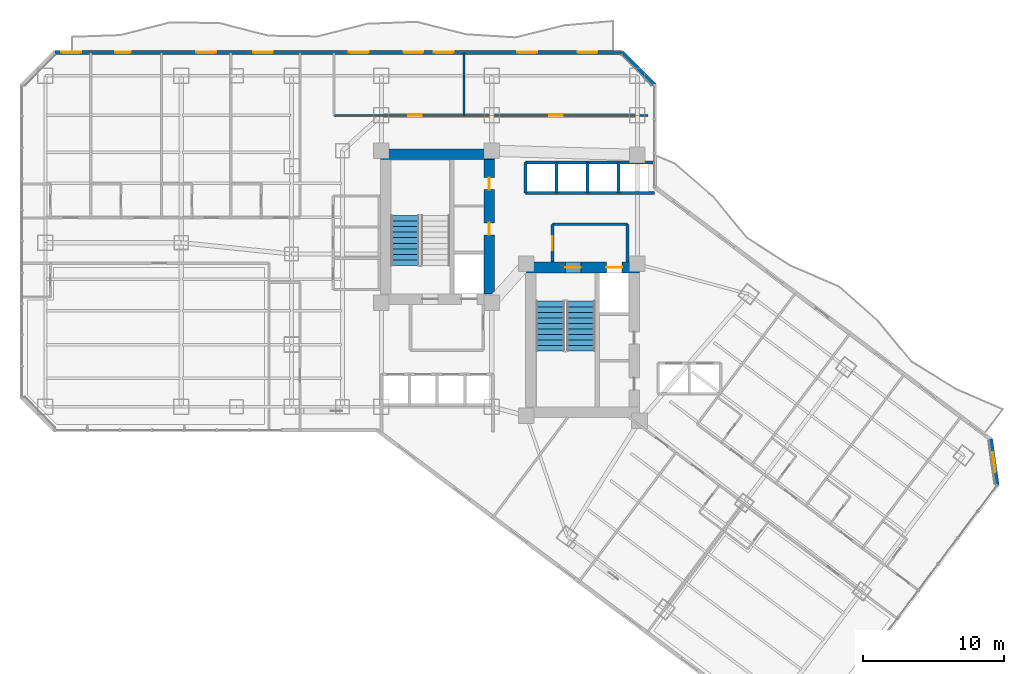
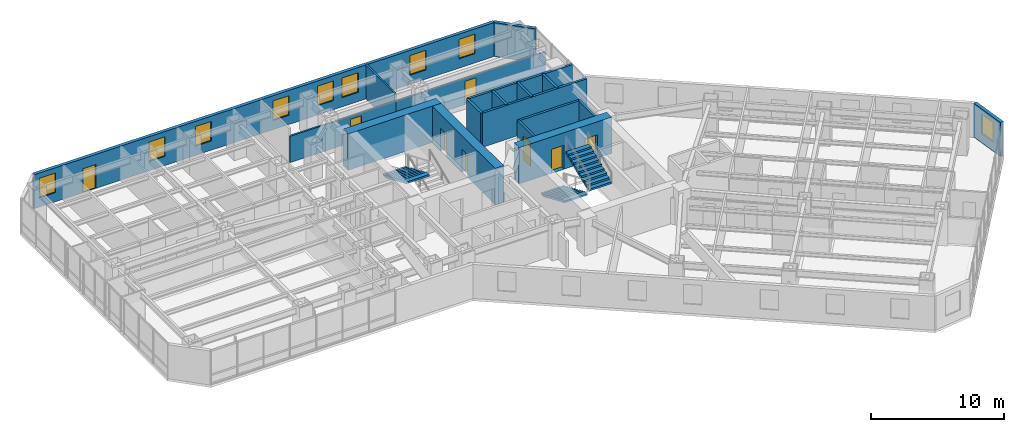
# One storey, part 26 of 33: 18 walls, 9 windows, 8 doors, 3 stair flights, 17 openings, 2 elements without a shape of their own.
"""IFC4 building model written with IfcOpenShell, lengths in metres."""

from ifc_helpers import new_model, si_unit, direction, frame, frame_2d, origin, place, context, subcontext, project, spatial, polyline, rectangle, outline, extrude, material, layer, layer_set, type_object, element, fill, aggregate, save


model = new_model("IFC4")

# Units and contexts
model_context = context("Model", 3, precision=1e-05, world=origin(), true_north=direction((0.0, 1.0)))
body_context = subcontext(model_context, "Body", "Model", "MODEL_VIEW")
ifc_project = project(units=[si_unit("LENGTHUNIT", "METRE"), si_unit("AREAUNIT", "SQUARE_METRE"), si_unit("VOLUMEUNIT", "CUBIC_METRE"), si_unit("PLANEANGLEUNIT", "RADIAN"), si_unit("MASSUNIT", "GRAM", prefix="KILO")], contexts=[model_context])

# Site, building, storey
site_placement = place(None, origin())
site = spatial("IfcSite", under=ifc_project, at=site_placement, CompositionType="ELEMENT")
building_placement = place(site_placement, origin())
building = spatial("IfcBuilding", under=site, at=building_placement, Name="Hatsunagi Terrace Concourse", CompositionType="ELEMENT")
storey_placement = place(building_placement, frame((0.0, 0.0, 56.699951171875)))
storey = spatial("IfcBuildingStorey", under=building, at=storey_placement, Name="L14", CompositionType="ELEMENT", Elevation=56.699951171875)

# Wall
ifc_material_1 = material(Name="Concrete Fc60", Category="concrete")
ifc_layer_1 = layer(ifc_material_1, 0.75)
ifc_layer_set_1 = layer_set([ifc_layer_1], Name="CoreShearWall_Fc60_750")
wall_type_1 = type_object("IfcWallType", Name="CoreShearWall_Fc60_750", PredefinedType="SHEAR", material=ifc_layer_set_1)
wall_1_placement = place(storey_placement, frame((25.469970703125, 43.044921875, 0.0), z_axis=(0.0, 0.0, 1.0), x_axis=(1.0, 0.0, 0.0)))
element("IfcWall", 1, at=wall_1_placement, inside=storey, type_object=wall_type_1, Name="Core A Shear Wall N L14", PredefinedType="SHEAR", context=body_context, shape_type="SweptSolid", body=[
    extrude(rectangle(XDim=8.080078125, YDim=0.75, at=frame_2d((4.0400390625, 0.0))), origin(), (0.0, 0.0, 1.0), 3.35009765625),
])

# Wall, openings, doors
wall_2_placement = place(storey_placement, frame((33.175048828125, 33.18994140625, 0.0), z_axis=(0.0, 0.0, 1.0), x_axis=(0.0, 1.0, 0.0)))
wall_2 = element("IfcWall", 2, at=wall_2_placement, inside=storey, type_object=wall_type_1, Name="Core A Shear Wall E L14", PredefinedType="SHEAR", context=body_context, shape_type="SweptSolid", body=[
    extrude(rectangle(XDim=9.47998046875, YDim=0.75, at=frame_2d((4.739990234375, 0.0))), origin(), (0.0, 0.0, 1.0), 3.35009765625),
])
opening_1_placement = place(wall_2_placement, frame((4.159912109375, 0.0, 0.0)))
opening_1 = element("IfcOpeningElement", 3, at=opening_1_placement, cuts=wall_2, Name="Opening DR-085", PredefinedType="OPENING", context=body_context, shape_type="SweptSolid", body=[
    extrude(rectangle(XDim=0.85009765625, YDim=2.080078125, at=frame_2d((0.425048828125, 1.0400390625))), frame((0.0, 0.385009765625, 0.0), z_axis=(0.0, -1.0, 0.0), x_axis=(1.0, 0.0, 0.0)), (0.0, 0.0, 1.0), 0.77001953125),
])
opening_2_placement = place(wall_2_placement, frame((7.360107421875, 0.0, 0.0)))
opening_2 = element("IfcOpeningElement", 4, at=opening_2_placement, cuts=wall_2, Name="Opening DR-085", PredefinedType="OPENING", context=body_context, shape_type="SweptSolid", body=[
    extrude(rectangle(XDim=0.85009765625, YDim=2.080078125, at=frame_2d((0.425048828125, 1.0400390625))), frame((0.0, 0.385009765625, 0.0), z_axis=(0.0, -1.0, 0.0), x_axis=(1.0, 0.0, 0.0)), (0.0, 0.0, 1.0), 0.77001953125),
])
ifc_material_2 = material(Name="Painted steel", Category="steel")
door_type_1 = type_object("IfcDoorType", Name="RiserAccessDoor_EI60_850", OperationType="NOTDEFINED", PredefinedType="DOOR", material=ifc_material_2)
door_1_placement = place(opening_1_placement, origin())
door_1 = element("IfcDoor", 5, at=door_1_placement, inside=storey, type_object=door_type_1, Name="Core A Riser Door L14-1", OperationType="SINGLE_SWING_LEFT", OverallHeight=2.080078125, OverallWidth=0.85009765625, PredefinedType="DOOR", context=body_context, shape_type="SweptSolid", body=[
    extrude(rectangle(XDim=0.85009765625, YDim=2.080078125, at=frame_2d((0.425048828125, 1.0400390625))), frame((0.0, 0.02490234375, 0.0), z_axis=(0.0, -1.0, 0.0), x_axis=(1.0, 0.0, 0.0)), (0.0, 0.0, 1.0), 0.050048828125),
])
fill(opening_1, door_1)
door_2_placement = place(opening_2_placement, origin())
door_2 = element("IfcDoor", 6, at=door_2_placement, inside=storey, type_object=door_type_1, Name="Core A Riser Door L14-2", OperationType="SINGLE_SWING_LEFT", OverallHeight=2.080078125, OverallWidth=0.85009765625, PredefinedType="DOOR", context=body_context, shape_type="SweptSolid", body=[
    extrude(rectangle(XDim=0.85009765625, YDim=2.080078125, at=frame_2d((0.425048828125, 1.0400390625))), frame((0.0, 0.02490234375, 0.0), z_axis=(0.0, -1.0, 0.0), x_axis=(1.0, 0.0, 0.0)), (0.0, 0.0, 1.0), 0.050048828125),
])
fill(opening_2, door_2)

wall_3_placement = place(storey_placement, frame((35.739990234375, 35.044921875, 0.0), z_axis=(0.0, 0.0, 1.0), x_axis=(1.0, 0.0, 0.0)))
wall_3 = element("IfcWall", 7, at=wall_3_placement, inside=storey, type_object=wall_type_1, Name="Core B Shear Wall N L14", PredefinedType="SHEAR", context=body_context, shape_type="SweptSolid", body=[
    extrude(rectangle(XDim=8.06005859375, YDim=0.75, at=frame_2d((4.030029296875, 0.0))), origin(), (0.0, 0.0, 1.0), 3.35009765625),
])
opening_3_placement = place(wall_3_placement, frame((2.81005859375, 0.0, 0.0)))
opening_3 = element("IfcOpeningElement", 8, at=opening_3_placement, cuts=wall_3, Name="Opening DR-110S", PredefinedType="OPENING", context=body_context, shape_type="SweptSolid", body=[
    extrude(rectangle(XDim=1.10009765625, YDim=2.199951171875, at=frame_2d((0.550048828125, 1.10009765625))), frame((0.0, 0.385009765625, 0.0), z_axis=(0.0, -1.0, 0.0), x_axis=(1.0, 0.0, 0.0)), (0.0, 0.0, 1.0), 0.77001953125),
])
opening_4_placement = place(wall_3_placement, frame((5.7099609375, 0.0, 0.0)))
opening_4 = element("IfcOpeningElement", 9, at=opening_4_placement, cuts=wall_3, Name="Opening LD-02", PredefinedType="OPENING", context=body_context, shape_type="SweptSolid", body=[
    extrude(rectangle(XDim=1.1201171875, YDim=2.14990234375, at=frame_2d((0.56005859375, 1.074951171875))), frame((0.0, 0.385009765625, 0.0), z_axis=(0.0, -1.0, 0.0), x_axis=(1.0, 0.0, 0.0)), (0.0, 0.0, 1.0), 0.77001953125),
])
ifc_material_3 = material(Name="Stainless steel", Category="steel")
door_type_2 = type_object("IfcDoorType", Name="LiftLandingDoor_LD02", OperationType="SLIDING_TO_RIGHT", PredefinedType="USERDEFINED", material=ifc_material_3)
door_3_placement = place(opening_4_placement, origin())
door_3 = element("IfcDoor", 10, at=door_3_placement, inside=storey, type_object=door_type_2, Name="Lift landing door FF-02 L14", ObjectType="SLIDING_LANDING_DOOR", OperationType="SLIDING_TO_RIGHT", OverallHeight=2.14990234375, OverallWidth=1.1201171875, PredefinedType="USERDEFINED", context=body_context, shape_type="SweptSolid", body=[
    extrude(rectangle(XDim=1.1201171875, YDim=2.14990234375, at=frame_2d((0.56005859375, 1.074951171875))), frame((0.0, 0.02490234375, 0.0), z_axis=(0.0, -1.0, 0.0), x_axis=(1.0, 0.0, 0.0)), (0.0, 0.0, 1.0), 0.050048828125),
])
fill(opening_4, door_3)
ifc_material_4 = material(Name="Painted steel", Category="steel")
door_type_3 = type_object("IfcDoorType", Name="StairFireDoor_EI60_1100", OperationType="NOTDEFINED", PredefinedType="DOOR", material=ifc_material_4)
door_4_placement = place(opening_3_placement, origin())
door_4 = element("IfcDoor", 11, at=door_4_placement, inside=storey, type_object=door_type_3, Name="Stair ST-B Exit Door L14", OperationType="SINGLE_SWING_RIGHT", OverallHeight=2.199951171875, OverallWidth=1.10009765625, PredefinedType="DOOR", context=body_context, shape_type="SweptSolid", body=[
    extrude(rectangle(XDim=1.10009765625, YDim=2.199951171875, at=frame_2d((0.550048828125, 1.10009765625))), frame((0.0, 0.02490234375, 0.0), z_axis=(0.0, -1.0, 0.0), x_axis=(1.0, 0.0, 0.0)), (0.0, 0.0, 1.0), 0.050048828125),
])
fill(opening_3, door_4)

# Wall, opening, door
ifc_material_5 = material(Name="Acoustic mineral board", Category="gypsum")
ifc_layer_2 = layer(ifc_material_5, 0.14990234375)
ifc_layer_set_2 = layer_set([ifc_layer_2], Name="PartitionWall_EI60_150")
wall_type_2 = type_object("IfcWallType", Name="PartitionWall_EI60_150", PredefinedType="PARTITIONING", material=ifc_layer_set_2)
wall_4_placement = place(storey_placement, frame((22.199951171875, 45.800048828125, 0.0), z_axis=(0.0, 0.0, 1.0), x_axis=(1.0, 0.0, 0.0)))
wall_4 = element("IfcWall", 12, at=wall_4_placement, inside=storey, type_object=wall_type_2, Name="Interior Partition IW-L14-037", PredefinedType="PARTITIONING", context=body_context, shape_type="SweptSolid", body=[
    extrude(rectangle(XDim=9.199951171875, YDim=0.14990234375, at=frame_2d((4.60009765625, 0.0))), origin(), (0.0, 0.0, 1.0), 2.425048828125),
])
opening_5_placement = place(wall_4_placement, frame((5.248046875, 0.0, 0.0)))
opening_5 = element("IfcOpeningElement", 13, at=opening_5_placement, cuts=wall_4, Name="Opening DR-095", PredefinedType="OPENING", context=body_context, shape_type="SweptSolid", body=[
    extrude(rectangle(XDim=0.949951171875, YDim=2.14990234375, at=frame_2d((0.47509765625, 1.074951171875))), frame((0.0, 0.0849609375, 0.0), z_axis=(0.0, -1.0, 0.0), x_axis=(1.0, 0.0, 0.0)), (0.0, 0.0, 1.0), 0.169921875),
])
ifc_material_6 = material(Name="Hardwood timber", Category="wood")
door_type_4 = type_object("IfcDoorType", Name="InteriorSuiteDoor_EI30_950", OperationType="NOTDEFINED", PredefinedType="DOOR", material=ifc_material_6)
door_5_placement = place(opening_5_placement, origin())
door_5 = element("IfcDoor", 14, at=door_5_placement, inside=storey, type_object=door_type_4, Name="Housekeeping Linen Room L14-HLIN Door", OperationType="SINGLE_SWING_LEFT", OverallHeight=2.14990234375, OverallWidth=0.949951171875, PredefinedType="DOOR", context=body_context, shape_type="SweptSolid", body=[
    extrude(rectangle(XDim=0.949951171875, YDim=2.14990234375, at=frame_2d((0.47509765625, 1.074951171875))), frame((0.0, 0.02490234375, 0.0), z_axis=(0.0, -1.0, 0.0), x_axis=(1.0, 0.0, 0.0)), (0.0, 0.0, 1.0), 0.050048828125),
])
fill(opening_5, door_5)

# Wall
wall_5_placement = place(storey_placement, frame((31.39990234375, 45.800048828125, 0.0), z_axis=(0.0, 0.0, 1.0), x_axis=(0.0, 1.0, 0.0)))
element("IfcWall", 15, at=wall_5_placement, inside=storey, type_object=wall_type_2, Name="Interior Partition IW-L14-039", PredefinedType="PARTITIONING", context=body_context, shape_type="SweptSolid", body=[
    extrude(rectangle(XDim=4.39990234375, YDim=0.14990234375, at=frame_2d((2.199951171875, 0.0))), origin(), (0.0, 0.0, 1.0), 3.130126953125),
])

# Wall, opening, door
wall_6_placement = place(storey_placement, frame((31.39990234375, 45.800048828125, 0.0), z_axis=(0.0, 0.0, 1.0), x_axis=(1.0, 0.0, 0.0)))
wall_6 = element("IfcWall", 16, at=wall_6_placement, inside=storey, type_object=wall_type_2, Name="Interior Partition IW-L14-040", PredefinedType="PARTITIONING", context=body_context, shape_type="SweptSolid", body=[
    extrude(rectangle(XDim=13.0, YDim=0.14990234375, at=frame_2d((6.5, 0.0))), origin(), (0.0, 0.0, 1.0), 2.425048828125),
])
opening_6_placement = place(wall_6_placement, frame((6.02490234375, 0.0, 0.0)))
opening_6 = element("IfcOpeningElement", 17, at=opening_6_placement, cuts=wall_6, Name="Opening DR-095", PredefinedType="OPENING", context=body_context, shape_type="SweptSolid", body=[
    extrude(rectangle(XDim=0.949951171875, YDim=2.14990234375, at=frame_2d((0.47509765625, 1.074951171875))), frame((0.0, 0.0849609375, 0.0), z_axis=(0.0, -1.0, 0.0), x_axis=(1.0, 0.0, 0.0)), (0.0, 0.0, 1.0), 0.169921875),
])
door_6_placement = place(opening_6_placement, origin())
door_6 = element("IfcDoor", 18, at=door_6_placement, inside=storey, type_object=door_type_4, Name="VIP Lounge L14-HLNG Door", OperationType="SINGLE_SWING_LEFT", OverallHeight=2.14990234375, OverallWidth=0.949951171875, PredefinedType="DOOR", context=body_context, shape_type="SweptSolid", body=[
    extrude(rectangle(XDim=0.949951171875, YDim=2.14990234375, at=frame_2d((0.47509765625, 1.074951171875))), frame((0.0, 0.02490234375, 0.0), z_axis=(0.0, -1.0, 0.0), x_axis=(1.0, 0.0, 0.0)), (0.0, 0.0, 1.0), 0.050048828125),
])
fill(opening_6, door_6)

# Walls
ifc_material_7 = material(Name="Acoustic mineral board", Category="gypsum")
ifc_layer_3 = layer(ifc_material_7, 0.199951171875)
ifc_layer_set_3 = layer_set([ifc_layer_3], Name="ShaftWall_EI120_200")
wall_type_3 = type_object("IfcWallType", Name="ShaftWall_EI120_200", PredefinedType="STANDARD", material=ifc_layer_set_3)
wall_7_placement = place(storey_placement, frame((37.64990234375, 38.10009765625, 0.0), z_axis=(0.0, 0.0, 1.0), x_axis=(1.0, 0.0, 0.0)))
element("IfcWall", 19, at=wall_7_placement, inside=storey, type_object=wall_type_3, Name="Interior Partition IW-L14-008", PredefinedType="STANDARD", context=body_context, shape_type="SweptSolid", body=[
    extrude(rectangle(XDim=5.300048828125, YDim=0.199951171875, at=frame_2d((2.64990234375, 0.0))), origin(), (0.0, 0.0, 1.0), 3.130126953125),
])
wall_8_placement = place(storey_placement, frame((42.949951171875, 35.419921875, 0.0), z_axis=(0.0, 0.0, 1.0), x_axis=(0.0, 1.0, 0.0)))
element("IfcWall", 20, at=wall_8_placement, inside=storey, type_object=wall_type_3, Name="Interior Partition IW-L14-009", PredefinedType="STANDARD", context=body_context, shape_type="SweptSolid", body=[
    extrude(rectangle(XDim=2.68017578125, YDim=0.199951171875, at=frame_2d((1.340087890625, 0.0))), origin(), (0.0, 0.0, 1.0), 3.130126953125),
])

# Wall, opening, door
wall_9_placement = place(storey_placement, frame((37.64990234375, 35.419921875, 0.0), z_axis=(0.0, 0.0, 1.0), x_axis=(0.0, 1.0, 0.0)))
wall_9 = element("IfcWall", 21, at=wall_9_placement, inside=storey, type_object=wall_type_3, Name="Interior Partition IW-L14-010", PredefinedType="STANDARD", context=body_context, shape_type="SweptSolid", body=[
    extrude(rectangle(XDim=2.68017578125, YDim=0.199951171875, at=frame_2d((1.340087890625, 0.0))), origin(), (0.0, 0.0, 1.0), 3.130126953125),
])
opening_7_placement = place(wall_9_placement, frame((0.840087890625, 0.0, 0.0)))
opening_7 = element("IfcOpeningElement", 22, at=opening_7_placement, cuts=wall_9, Name="Opening DR-100F", PredefinedType="OPENING", context=body_context, shape_type="SweptSolid", body=[
    extrude(rectangle(XDim=1.0, YDim=2.199951171875, at=frame_2d((0.5, 1.10009765625))), frame((0.0, 0.10986328125, 0.0), z_axis=(0.0, -1.0, 0.0), x_axis=(1.0, 0.0, 0.0)), (0.0, 0.0, 1.0), 0.219970703125),
])
ifc_material_8 = material(Name="Painted steel", Category="steel")
door_type_5 = type_object("IfcDoorType", Name="FireDoor_EI60_1000", OperationType="NOTDEFINED", PredefinedType="DOOR", material=ifc_material_8)
door_7_placement = place(opening_7_placement, origin())
door_7 = element("IfcDoor", 23, at=door_7_placement, inside=storey, type_object=door_type_5, Name="Firefighting Lobby B Door L14", OperationType="SINGLE_SWING_RIGHT", OverallHeight=2.199951171875, OverallWidth=1.0, PredefinedType="DOOR", context=body_context, shape_type="SweptSolid", body=[
    extrude(rectangle(XDim=1.0, YDim=2.199951171875, at=frame_2d((0.5, 1.10009765625))), frame((0.0, 0.02490234375, 0.0), z_axis=(0.0, -1.0, 0.0), x_axis=(1.0, 0.0, 0.0)), (0.0, 0.0, 1.0), 0.050048828125),
])
fill(opening_7, door_7)

# Walls
wall_10_placement = place(storey_placement, frame((35.75, 42.47998046875, 0.0), z_axis=(0.0, 0.0, 1.0), x_axis=(1.0, 0.0, 0.0)))
element("IfcWall", 24, at=wall_10_placement, inside=storey, type_object=wall_type_3, Name="Interior Partition IW-L14-018", PredefinedType="STANDARD", context=body_context, shape_type="SweptSolid", body=[
    extrude(rectangle(XDim=9.110107421875, YDim=0.199951171875, at=frame_2d((4.55517578125, 0.0))), origin(), (0.0, 0.0, 1.0), 3.130126953125),
])
for number, where, z_axis, x_axis, name in (
    (25, (35.75, 40.320068359375, 0.0), (0.0, 0.0, 1.0), (0.0, 1.0, 0.0), "Interior Partition IW-L14-019"),
    (26, (37.919921875, 40.320068359375, 0.0), (0.0, 0.0, 1.0), (0.0, 1.0, 0.0), "Interior Partition IW-L14-020"),
    (27, (40.1201171875, 40.320068359375, 0.0), (0.0, 0.0, 1.0), (0.0, 1.0, 0.0), "Interior Partition IW-L14-021"),
    (28, (42.320068359375, 40.320068359375, 0.0), (0.0, 0.0, 1.0), (0.0, 1.0, 0.0), "Interior Partition IW-L14-022"),
):
    element("IfcWall", number, at=place(storey_placement, frame(where, z_axis=z_axis, x_axis=x_axis)), inside=storey, type_object=wall_type_3, Name=name, PredefinedType="STANDARD", context=body_context, shape_type="SweptSolid", body=[
        extrude(rectangle(XDim=2.159912109375, YDim=0.199951171875, at=frame_2d((1.080078125, 0.0))), origin(), (0.0, 0.0, 1.0), 3.130126953125),
    ])
wall_11_placement = place(storey_placement, frame((35.75, 40.320068359375, 0.0), z_axis=(0.0, 0.0, 1.0), x_axis=(1.0, 0.0, 0.0)))
element("IfcWall", 29, at=wall_11_placement, inside=storey, type_object=wall_type_3, Name="Interior Partition IW-L14-023", PredefinedType="STANDARD", context=body_context, shape_type="SweptSolid", body=[
    extrude(rectangle(XDim=9.110107421875, YDim=0.199951171875, at=frame_2d((4.55517578125, 0.0))), origin(), (0.0, 0.0, 1.0), 3.130126953125),
])

# Wall, opening, window
ifc_material_9 = material(Name="Autoclaved Lightweight Concrete and Terracotta Cladding", Category="masonry")
ifc_layer_4 = layer(ifc_material_9, 0.280029296875)
ifc_layer_set_4 = layer_set([ifc_layer_4], Name="TerracottaSpandrelWall_280")
wall_type_4 = type_object("IfcWallType", Name="TerracottaSpandrelWall_280", PredefinedType="STANDARD", material=ifc_layer_set_4)
wall_12_placement = place(storey_placement, frame((68.6298828125, 22.903076171875, 0.0), z_axis=(0.0, 0.0, 1.0), x_axis=(0.141285803956, -0.989968848803, 0.0)))
wall_12 = element("IfcWall", 30, at=wall_12_placement, inside=storey, type_object=wall_type_4, Name="Exterior Spandrel Wall EW-L14-02", PredefinedType="STANDARD", context=body_context, shape_type="SweptSolid", body=[
    extrude(rectangle(XDim=3.278076171875, YDim=0.280029296875, at=frame_2d((1.63916015625, 0.0))), origin(), (0.0, 0.0, 1.0), 3.130126953125),
])
opening_8_placement = place(wall_12_placement, frame((0.93896484375, 0.0, 0.85009765625)))
opening_8 = element("IfcOpeningElement", 31, at=opening_8_placement, cuts=wall_12, Name="Opening WIN-02", PredefinedType="OPENING", context=body_context, shape_type="SweptSolid", body=[
    extrude(rectangle(XDim=1.39990234375, YDim=1.800048828125, at=frame_2d((0.699951171875, 0.89990234375))), frame((0.0, 0.14990234375, 0.0), z_axis=(0.0, -1.0, 0.0), x_axis=(1.0, 0.0, 0.0)), (0.0, 0.0, 1.0), 0.300048828125),
])
ifc_material_10 = material(Name="Thermally Broken Aluminium and Low-E Triple Glazing", Category="aluminium")
window_type = type_object("IfcWindowType", Name="HotelOperableVentWindow_1400x1800", PartitioningType="DOUBLE_PANEL_VERTICAL", PredefinedType="WINDOW", material=ifc_material_10)
window_1_placement = place(opening_8_placement, origin())
window_1 = element("IfcWindow", 32, at=window_1_placement, inside=storey, type_object=window_type, Name="Hotel Guestroom Window L14-02-1", OverallHeight=1.800048828125, OverallWidth=1.39990234375, PartitioningType="SINGLE_PANEL", PredefinedType="WINDOW", context=body_context, shape_type="SweptSolid", body=[
    extrude(rectangle(XDim=1.39990234375, YDim=1.800048828125, at=frame_2d((0.699951171875, 0.89990234375))), frame((0.0, 0.030029296875, 0.0), z_axis=(0.0, -1.0, 0.0), x_axis=(1.0, 0.0, 0.0)), (0.0, 0.0, 1.0), 0.06005859375),
])
fill(opening_8, window_1)

# Wall, openings, door, windows
wall_13_placement = place(storey_placement, frame((2.4580078125, 50.260009765625, 0.0), z_axis=(0.0, 0.0, 1.0), x_axis=(1.0, 0.0, 0.0)))
wall_13 = element("IfcWall", 33, at=wall_13_placement, inside=storey, type_object=wall_type_4, Name="Exterior Spandrel Wall EW-L14-11", PredefinedType="STANDARD", context=body_context, shape_type="SweptSolid", body=[
    extrude(rectangle(XDim=40.083984375, YDim=0.280029296875, at=frame_2d((20.0419921875, 0.0))), origin(), (0.0, 0.0, 1.0), 3.130126953125),
])
opening_9_placement = place(wall_13_placement, frame((4.260009765625, 0.0, 0.0)))
opening_9 = element("IfcOpeningElement", 34, at=opening_9_placement, cuts=wall_13, Name="Opening BD-01", PredefinedType="OPENING", context=body_context, shape_type="SweptSolid", body=[
    extrude(rectangle(XDim=1.10009765625, YDim=2.199951171875, at=frame_2d((0.550048828125, 1.10009765625))), frame((0.0, 0.14990234375, 0.0), z_axis=(0.0, -1.0, 0.0), x_axis=(1.0, 0.0, 0.0)), (0.0, 0.0, 1.0), 0.300048828125),
])
opening_10_placement = place(wall_13_placement, frame((0.4599609375, 0.0, 0.85009765625)))
opening_10 = element("IfcOpeningElement", 35, at=opening_10_placement, cuts=wall_13, Name="Opening WIN-02", PredefinedType="OPENING", context=body_context, shape_type="SweptSolid", body=[
    extrude(rectangle(XDim=1.39990234375, YDim=1.800048828125, at=frame_2d((0.699951171875, 0.89990234375))), frame((0.0, 0.14990234375, 0.0), z_axis=(0.0, -1.0, 0.0), x_axis=(1.0, 0.0, 0.0)), (0.0, 0.0, 1.0), 0.300048828125),
])
opening_11_placement = place(wall_13_placement, frame((10.0, 0.0, 0.85009765625)))
opening_11 = element("IfcOpeningElement", 36, at=opening_11_placement, cuts=wall_13, Name="Opening WIN-02", PredefinedType="OPENING", context=body_context, shape_type="SweptSolid", body=[
    extrude(rectangle(XDim=1.39990234375, YDim=1.800048828125, at=frame_2d((0.699951171875, 0.89990234375))), frame((0.0, 0.14990234375, 0.0), z_axis=(0.0, -1.0, 0.0), x_axis=(1.0, 0.0, 0.0)), (0.0, 0.0, 1.0), 0.300048828125),
])
opening_12_placement = place(wall_13_placement, frame((14.02001953125, 0.0, 0.85009765625)))
opening_12 = element("IfcOpeningElement", 37, at=opening_12_placement, cuts=wall_13, Name="Opening WIN-02", PredefinedType="OPENING", context=body_context, shape_type="SweptSolid", body=[
    extrude(rectangle(XDim=1.39990234375, YDim=1.800048828125, at=frame_2d((0.699951171875, 0.89990234375))), frame((0.0, 0.14990234375, 0.0), z_axis=(0.0, -1.0, 0.0), x_axis=(1.0, 0.0, 0.0)), (0.0, 0.0, 1.0), 0.300048828125),
])
opening_13_placement = place(wall_13_placement, frame((20.7890625, 0.0, 0.85009765625)))
opening_13 = element("IfcOpeningElement", 38, at=opening_13_placement, cuts=wall_13, Name="Opening WIN-02", PredefinedType="OPENING", context=body_context, shape_type="SweptSolid", body=[
    extrude(rectangle(XDim=1.39990234375, YDim=1.800048828125, at=frame_2d((0.699951171875, 0.89990234375))), frame((0.0, 0.14990234375, 0.0), z_axis=(0.0, -1.0, 0.0), x_axis=(1.0, 0.0, 0.0)), (0.0, 0.0, 1.0), 0.300048828125),
])
opening_14_placement = place(wall_13_placement, frame((24.6640625, 0.0, 0.85009765625)))
opening_14 = element("IfcOpeningElement", 39, at=opening_14_placement, cuts=wall_13, Name="Opening WIN-02", PredefinedType="OPENING", context=body_context, shape_type="SweptSolid", body=[
    extrude(rectangle(XDim=1.39990234375, YDim=1.800048828125, at=frame_2d((0.699951171875, 0.89990234375))), frame((0.0, 0.14990234375, 0.0), z_axis=(0.0, -1.0, 0.0), x_axis=(1.0, 0.0, 0.0)), (0.0, 0.0, 1.0), 0.300048828125),
])
opening_15_placement = place(wall_13_placement, frame((26.802978515625, 0.0, 0.85009765625)))
opening_15 = element("IfcOpeningElement", 40, at=opening_15_placement, cuts=wall_13, Name="Opening WIN-02", PredefinedType="OPENING", context=body_context, shape_type="SweptSolid", body=[
    extrude(rectangle(XDim=1.39990234375, YDim=1.800048828125, at=frame_2d((0.699951171875, 0.89990234375))), frame((0.0, 0.14990234375, 0.0), z_axis=(0.0, -1.0, 0.0), x_axis=(1.0, 0.0, 0.0)), (0.0, 0.0, 1.0), 0.300048828125),
])
opening_16_placement = place(wall_13_placement, frame((32.702880859375, 0.0, 0.85009765625)))
opening_16 = element("IfcOpeningElement", 41, at=opening_16_placement, cuts=wall_13, Name="Opening WIN-02", PredefinedType="OPENING", context=body_context, shape_type="SweptSolid", body=[
    extrude(rectangle(XDim=1.39990234375, YDim=1.800048828125, at=frame_2d((0.699951171875, 0.89990234375))), frame((0.0, 0.14990234375, 0.0), z_axis=(0.0, -1.0, 0.0), x_axis=(1.0, 0.0, 0.0)), (0.0, 0.0, 1.0), 0.300048828125),
])
opening_17_placement = place(wall_13_placement, frame((36.967041015625, 0.0, 0.85009765625)))
opening_17 = element("IfcOpeningElement", 42, at=opening_17_placement, cuts=wall_13, Name="Opening WIN-02", PredefinedType="OPENING", context=body_context, shape_type="SweptSolid", body=[
    extrude(rectangle(XDim=1.39990234375, YDim=1.800048828125, at=frame_2d((0.699951171875, 0.89990234375))), frame((0.0, 0.14990234375, 0.0), z_axis=(0.0, -1.0, 0.0), x_axis=(1.0, 0.0, 0.0)), (0.0, 0.0, 1.0), 0.300048828125),
])
ifc_material_11 = material(Name="Galvanised Steel and Laminated Safety Glass", Category="steel")
door_type_6 = type_object("IfcDoorType", Name="BalconyTerraceAccessDoor_1100x2200", OperationType="SINGLE_SWING_LEFT", PredefinedType="DOOR", material=ifc_material_11)
door_8_placement = place(opening_9_placement, origin())
door_8 = element("IfcDoor", 43, at=door_8_placement, inside=storey, type_object=door_type_6, Name="Engawa Balcony Door L14-BN", OperationType="SINGLE_SWING_RIGHT", OverallHeight=2.199951171875, OverallWidth=1.10009765625, PredefinedType="DOOR", context=body_context, shape_type="SweptSolid", body=[
    extrude(rectangle(XDim=1.10009765625, YDim=2.199951171875, at=frame_2d((0.550048828125, 1.10009765625))), frame((0.0, 0.02490234375, 0.0), z_axis=(0.0, -1.0, 0.0), x_axis=(1.0, 0.0, 0.0)), (0.0, 0.0, 1.0), 0.050048828125),
])
fill(opening_9, door_8)
window_2_placement = place(opening_10_placement, origin())
window_2 = element("IfcWindow", 44, at=window_2_placement, inside=storey, type_object=window_type, Name="Balcony Daylighting Window L14-11-1", OverallHeight=1.800048828125, OverallWidth=1.39990234375, PartitioningType="SINGLE_PANEL", PredefinedType="WINDOW", context=body_context, shape_type="SweptSolid", body=[
    extrude(rectangle(XDim=1.39990234375, YDim=1.800048828125, at=frame_2d((0.699951171875, 0.89990234375))), frame((0.0, 0.030029296875, 0.0), z_axis=(0.0, -1.0, 0.0), x_axis=(1.0, 0.0, 0.0)), (0.0, 0.0, 1.0), 0.06005859375),
])
fill(opening_10, window_2)
window_3_placement = place(opening_11_placement, origin())
window_3 = element("IfcWindow", 45, at=window_3_placement, inside=storey, type_object=window_type, Name="Balcony Daylighting Window L14-11-3", OverallHeight=1.800048828125, OverallWidth=1.39990234375, PartitioningType="SINGLE_PANEL", PredefinedType="WINDOW", context=body_context, shape_type="SweptSolid", body=[
    extrude(rectangle(XDim=1.39990234375, YDim=1.800048828125, at=frame_2d((0.699951171875, 0.89990234375))), frame((0.0, 0.030029296875, 0.0), z_axis=(0.0, -1.0, 0.0), x_axis=(1.0, 0.0, 0.0)), (0.0, 0.0, 1.0), 0.06005859375),
])
fill(opening_11, window_3)
window_4_placement = place(opening_12_placement, origin())
window_4 = element("IfcWindow", 46, at=window_4_placement, inside=storey, type_object=window_type, Name="Balcony Daylighting Window L14-11-4", OverallHeight=1.800048828125, OverallWidth=1.39990234375, PartitioningType="SINGLE_PANEL", PredefinedType="WINDOW", context=body_context, shape_type="SweptSolid", body=[
    extrude(rectangle(XDim=1.39990234375, YDim=1.800048828125, at=frame_2d((0.699951171875, 0.89990234375))), frame((0.0, 0.030029296875, 0.0), z_axis=(0.0, -1.0, 0.0), x_axis=(1.0, 0.0, 0.0)), (0.0, 0.0, 1.0), 0.06005859375),
])
fill(opening_12, window_4)
window_5_placement = place(opening_13_placement, origin())
window_5 = element("IfcWindow", 47, at=window_5_placement, inside=storey, type_object=window_type, Name="Balcony Daylighting Window L14-11-5", OverallHeight=1.800048828125, OverallWidth=1.39990234375, PartitioningType="SINGLE_PANEL", PredefinedType="WINDOW", context=body_context, shape_type="SweptSolid", body=[
    extrude(rectangle(XDim=1.39990234375, YDim=1.800048828125, at=frame_2d((0.699951171875, 0.89990234375))), frame((0.0, 0.030029296875, 0.0), z_axis=(0.0, -1.0, 0.0), x_axis=(1.0, 0.0, 0.0)), (0.0, 0.0, 1.0), 0.06005859375),
])
fill(opening_13, window_5)
window_6_placement = place(opening_14_placement, origin())
window_6 = element("IfcWindow", 48, at=window_6_placement, inside=storey, type_object=window_type, Name="Balcony Daylighting Window L14-11-6", OverallHeight=1.800048828125, OverallWidth=1.39990234375, PartitioningType="SINGLE_PANEL", PredefinedType="WINDOW", context=body_context, shape_type="SweptSolid", body=[
    extrude(rectangle(XDim=1.39990234375, YDim=1.800048828125, at=frame_2d((0.699951171875, 0.89990234375))), frame((0.0, 0.030029296875, 0.0), z_axis=(0.0, -1.0, 0.0), x_axis=(1.0, 0.0, 0.0)), (0.0, 0.0, 1.0), 0.06005859375),
])
fill(opening_14, window_6)
window_7_placement = place(opening_15_placement, origin())
window_7 = element("IfcWindow", 49, at=window_7_placement, inside=storey, type_object=window_type, Name="Balcony Daylighting Window L14-11-7", OverallHeight=1.800048828125, OverallWidth=1.39990234375, PartitioningType="SINGLE_PANEL", PredefinedType="WINDOW", context=body_context, shape_type="SweptSolid", body=[
    extrude(rectangle(XDim=1.39990234375, YDim=1.800048828125, at=frame_2d((0.699951171875, 0.89990234375))), frame((0.0, 0.030029296875, 0.0), z_axis=(0.0, -1.0, 0.0), x_axis=(1.0, 0.0, 0.0)), (0.0, 0.0, 1.0), 0.06005859375),
])
fill(opening_15, window_7)
window_8_placement = place(opening_16_placement, origin())
window_8 = element("IfcWindow", 50, at=window_8_placement, inside=storey, type_object=window_type, Name="Balcony Daylighting Window L14-11-8", OverallHeight=1.800048828125, OverallWidth=1.39990234375, PartitioningType="SINGLE_PANEL", PredefinedType="WINDOW", context=body_context, shape_type="SweptSolid", body=[
    extrude(rectangle(XDim=1.39990234375, YDim=1.800048828125, at=frame_2d((0.699951171875, 0.89990234375))), frame((0.0, 0.030029296875, 0.0), z_axis=(0.0, -1.0, 0.0), x_axis=(1.0, 0.0, 0.0)), (0.0, 0.0, 1.0), 0.06005859375),
])
fill(opening_16, window_8)
window_9_placement = place(opening_17_placement, origin())
window_9 = element("IfcWindow", 51, at=window_9_placement, inside=storey, type_object=window_type, Name="Balcony Daylighting Window L14-11-9", OverallHeight=1.800048828125, OverallWidth=1.39990234375, PartitioningType="SINGLE_PANEL", PredefinedType="WINDOW", context=body_context, shape_type="SweptSolid", body=[
    extrude(rectangle(XDim=1.39990234375, YDim=1.800048828125, at=frame_2d((0.699951171875, 0.89990234375))), frame((0.0, 0.030029296875, 0.0), z_axis=(0.0, -1.0, 0.0), x_axis=(1.0, 0.0, 0.0)), (0.0, 0.0, 1.0), 0.06005859375),
])
fill(opening_17, window_9)

# Wall
wall_14_placement = place(storey_placement, frame((42.5419921875, 50.260009765625, 0.0), z_axis=(0.0, 0.0, 1.0), x_axis=(0.707106781187, -0.707106781187, 0.0)))
element("IfcWall", 52, at=wall_14_placement, inside=storey, type_object=wall_type_4, Name="Exterior Spandrel Wall EW-L14-12", PredefinedType="STANDARD", context=body_context, shape_type="SweptSolid", body=[
    extrude(rectangle(XDim=3.2783203125, YDim=0.280029296875, at=frame_2d((1.63916015625, 0.0))), origin(), (0.0, 0.0, 1.0), 3.130126953125),
])

# Stair, stair flight
ifc_material_12 = material(Name="Concrete Fc42", Category="concrete")
stair_type = type_object("IfcStairType", Name="DoglegExitStair_Tower2000_20R_167", PredefinedType="HALF_TURN_STAIR", material=ifc_material_12)
stair_1_placement = place(storey_placement, origin())
stair_1 = element("IfcStair", 53, at=stair_1_placement, inside=storey, type_object=stair_type, Name="L14 Core A Protected Exit Stair ST-A", PredefinedType="HALF_TURN_STAIR")
ifc_material_13 = material(Name="Concrete Fc42", Category="concrete")
stair_flight_type = type_object("IfcStairFlightType", Name="DoglegStairFlight_Tower2000_20R_167", PredefinedType="STRAIGHT", material=ifc_material_13)
stair_flight_1_placement = place(storey_placement, frame((27.22998046875, 38.7099609375, 1.675048828125), z_axis=(0.0, 0.0, 1.0), x_axis=(0.0, -1.0, 0.0)))
stair_flight_1 = element("IfcStairFlight", 54, at=stair_flight_1_placement, type_object=stair_flight_type, Name="ST-A flight 2", NumberOfRisers=10, NumberOfTreads=9, PredefinedType="STRAIGHT", RiserHeight=0.1675, TreadLength=0.39, context=body_context, shape_type="SweptSolid", body=[
    extrude(outline(polyline([(0.0, 0.0), (0.0, 0.16748046875), (0.389892578125, 0.16748046875), (0.389892578125, 0.3349609375), (0.780029296875, 0.3349609375), (0.780029296875, 0.50244140625), (1.169921875, 0.50244140625), (1.169921875, 0.669921875), (1.56005859375, 0.669921875), (1.56005859375, 0.83740234375), (1.949951171875, 0.83740234375), (1.949951171875, 1.0048828125), (2.340087890625, 1.0048828125), (2.340087890625, 1.172607421875), (2.72998046875, 1.172607421875), (2.72998046875, 1.340087890625), (3.1201171875, 1.340087890625), (3.1201171875, 1.507568359375), (3.510009765625, 1.507568359375), (3.510009765625, 1.675048828125), (3.510009765625, 1.34423828125), (0.3798828125, 0.0), (0.0, 0.0)])), frame((0.0, 1.0, 0.0), z_axis=(0.0, -1.0, 0.0), x_axis=(1.0, 0.0, 0.0)), (0.0, 0.0, 1.0), 2.0),
])
aggregate(stair_1, [stair_flight_1])

# Stair, stair flights
stair_2_placement = place(storey_placement, origin())
stair_2 = element("IfcStair", 55, at=stair_2_placement, inside=storey, type_object=stair_type, Name="L14 Core B Protected Exit Stair ST-B", PredefinedType="HALF_TURN_STAIR")
stair_flight_2_placement = place(storey_placement, frame((37.5, 32.659912109375, 0.0), z_axis=(0.0, 0.0, 1.0), x_axis=(0.0, -1.0, 0.0)))
stair_flight_2 = element("IfcStairFlight", 56, at=stair_flight_2_placement, type_object=stair_flight_type, Name="ST-B flight 1", NumberOfRisers=10, NumberOfTreads=9, PredefinedType="STRAIGHT", RiserHeight=0.1675, TreadLength=0.39, context=body_context, shape_type="SweptSolid", body=[
    extrude(outline(polyline([(0.0, 0.0), (0.0, 0.16748046875), (0.389892578125, 0.16748046875), (0.389892578125, 0.3349609375), (0.780029296875, 0.3349609375), (0.780029296875, 0.50244140625), (1.169921875, 0.50244140625), (1.169921875, 0.669921875), (1.56005859375, 0.669921875), (1.56005859375, 0.83740234375), (1.949951171875, 0.83740234375), (1.949951171875, 1.0048828125), (2.340087890625, 1.0048828125), (2.340087890625, 1.172607421875), (2.72998046875, 1.172607421875), (2.72998046875, 1.340087890625), (3.1201171875, 1.340087890625), (3.1201171875, 1.507568359375), (3.510009765625, 1.507568359375), (3.510009765625, 1.675048828125), (3.510009765625, 1.34423828125), (0.3798828125, 0.0), (0.0, 0.0)])), frame((0.0, 1.0, 0.0), z_axis=(0.0, -1.0, 0.0), x_axis=(1.0, 0.0, 0.0)), (0.0, 0.0, 1.0), 2.0),
])
stair_flight_3_placement = place(storey_placement, frame((39.64990234375, 29.14990234375, 1.675048828125), z_axis=(0.0, 0.0, 1.0), x_axis=(0.0, 1.0, 0.0)))
stair_flight_3 = element("IfcStairFlight", 57, at=stair_flight_3_placement, type_object=stair_flight_type, Name="ST-B flight 2", NumberOfRisers=10, NumberOfTreads=9, PredefinedType="STRAIGHT", RiserHeight=0.1675, TreadLength=0.39, context=body_context, shape_type="SweptSolid", body=[
    extrude(outline(polyline([(0.0, 0.0), (0.0, 0.16748046875), (0.389892578125, 0.16748046875), (0.389892578125, 0.3349609375), (0.780029296875, 0.3349609375), (0.780029296875, 0.50244140625), (1.169921875, 0.50244140625), (1.169921875, 0.669921875), (1.56005859375, 0.669921875), (1.56005859375, 0.83740234375), (1.949951171875, 0.83740234375), (1.949951171875, 1.0048828125), (2.340087890625, 1.0048828125), (2.340087890625, 1.172607421875), (2.72998046875, 1.172607421875), (2.72998046875, 1.340087890625), (3.1201171875, 1.340087890625), (3.1201171875, 1.507568359375), (3.510009765625, 1.507568359375), (3.510009765625, 1.675048828125), (3.510009765625, 1.34423828125), (0.3798828125, 0.0), (0.0, 0.0)])), frame((0.0, 1.0, 0.0), z_axis=(0.0, -1.0, 0.0), x_axis=(1.0, 0.0, 0.0)), (0.0, 0.0, 1.0), 2.0),
])
aggregate(stair_2, [stair_flight_2, stair_flight_3])

save(model, "model.ifc")
